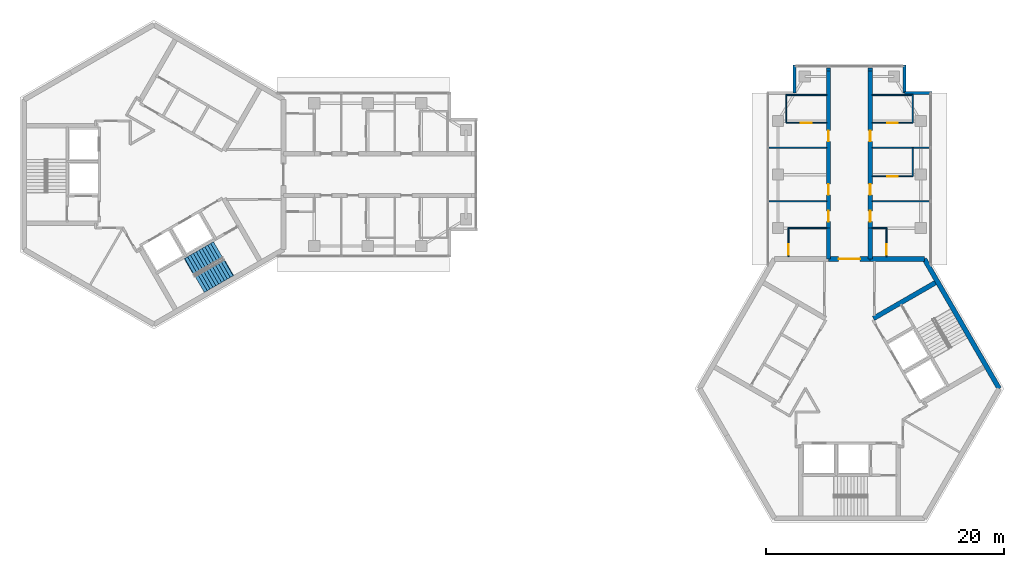
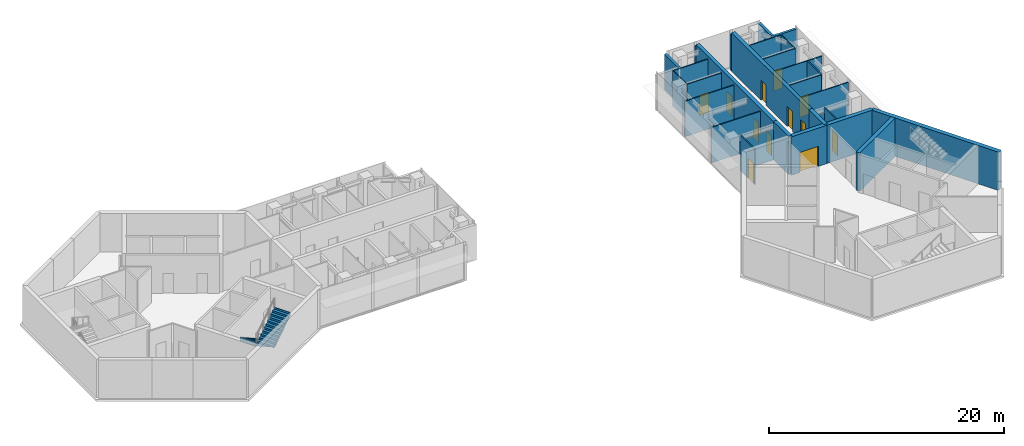
# One storey, part 9 of 11: 29 walls, 12 doors, 2 stair flights, 12 openings, 1 element without a shape of its own.
"""IFC4 building model written with IfcOpenShell, lengths in metres."""

from ifc_helpers import new_model, si_unit, direction, frame, frame_2d, origin, place, context, subcontext, project, spatial, polyline, rectangle, outline, extrude, material, layer, layer_set, type_object, element, fill, aggregate, save


model = new_model("IFC4")

# Units and contexts
model_context = context("Model", 3, precision=1e-05, world=origin(), true_north=direction((0.0, 1.0)))
body_context = subcontext(model_context, "Body", "Model", "MODEL_VIEW")
ifc_project = project(units=[si_unit("LENGTHUNIT", "METRE"), si_unit("AREAUNIT", "SQUARE_METRE"), si_unit("VOLUMEUNIT", "CUBIC_METRE"), si_unit("PLANEANGLEUNIT", "RADIAN"), si_unit("MASSUNIT", "GRAM", prefix="KILO")], contexts=[model_context])

# Site, building, storey
site_placement = place(None, origin())
site = spatial("IfcSite", under=ifc_project, at=site_placement, CompositionType="ELEMENT")
building_placement = place(site_placement, origin())
building = spatial("IfcBuilding", under=site, at=building_placement, Name="Upepo Twin Towers", CompositionType="ELEMENT")
storey_placement = place(building_placement, frame((0.0, 0.0, 287.5)))
storey = spatial("IfcBuildingStorey", under=building, at=storey_placement, Name="L70", CompositionType="ELEMENT", Elevation=287.5)

# Walls
ifc_material_1 = material(Name="Dense concrete blockwork", Category="masonry")
ifc_layer_1 = layer(ifc_material_1, 0.35009765625)
ifc_layer_set_1 = layer_set([ifc_layer_1], Name="Buttress closer 350, blockwork with fire-stopping to the curtain wall")
wall_type_1 = type_object("IfcWallType", Name="Buttress closer 350, blockwork with fire-stopping to the curtain wall", PredefinedType="PARTITIONING", material=ifc_layer_set_1)
for number, where, z_axis, x_axis, name in (
    (1, (56.75, 8.699951171875, 0.0), (0.0, 0.0, 1.0), (0.0, 1.0, 0.0), "T2 L70 wing A buttress closer L"),
    (2, (60.25, 8.699951171875, 0.0), (0.0, 0.0, 1.0), (0.0, 1.0, 0.0), "T2 L70 wing A buttress closer R"),
):
    element("IfcWall", number, at=place(storey_placement, frame(where, z_axis=z_axis, x_axis=x_axis)), inside=storey, type_object=wall_type_1, Name=name, PredefinedType="PARTITIONING", context=body_context, shape_type="SweptSolid", body=[
        extrude(rectangle(XDim=0.275146484375, YDim=0.35009765625, at=frame_2d((0.1376953125, 0.0))), origin(), (0.0, 0.0, 1.0), 3.699951171875),
    ])
ifc_material_2 = material(Name="Concrete C60/75", Category="concrete")
ifc_layer_2 = layer(ifc_material_2, 0.35009765625)
ifc_layer_set_2 = layer_set([ifc_layer_2], Name="Concrete C60/75")
wall_type_2 = type_object("IfcWallType", Name="Buttress wall 350 RC", PredefinedType="SHEAR", material=ifc_layer_set_2)
wall_1_placement = place(storey_placement, frame((56.75, -7.091552734375, 0.0), z_axis=(0.0, 0.0, 1.0), x_axis=(0.0, 1.0, 0.0)))
element("IfcWall", 3, at=wall_1_placement, inside=storey, type_object=wall_type_2, Name="T2 wing A buttress wall L", PredefinedType="SHEAR", context=body_context, shape_type="SweptSolid", body=[
    extrude(rectangle(XDim=2.591552734375, YDim=0.35009765625, at=frame_2d((1.2958984375, 0.0))), origin(), (0.0, 0.0, 1.0), 4.0),
])

# Wall, openings, doors
wall_2_placement = place(storey_placement, frame((56.75, -4.5, 0.0), z_axis=(0.0, 0.0, 1.0), x_axis=(0.0, 1.0, 0.0)))
wall_2 = element("IfcWall", 4, at=wall_2_placement, inside=storey, type_object=wall_type_2, Name="T2 wing A buttress wall L part 2", PredefinedType="SHEAR", context=body_context, shape_type="SweptSolid", body=[
    extrude(rectangle(XDim=13.199951171875, YDim=0.35009765625, at=frame_2d((6.60009765625, 0.0))), origin(), (0.0, 0.0, 1.0), 4.0),
])
opening_1_placement = place(wall_2_placement, frame((0.550048828125, 0.0, 0.0)))
opening_1 = element("IfcOpeningElement", 5, at=opening_1_placement, cuts=wall_2, Name="Opening D11", PredefinedType="OPENING", context=body_context, shape_type="SweptSolid", body=[
    extrude(rectangle(XDim=0.89990234375, YDim=2.10009765625, at=frame_2d((0.449951171875, 1.050048828125))), frame((0.0, 0.18505859375, 0.0), z_axis=(0.0, -1.0, 0.0), x_axis=(1.0, 0.0, 0.0)), (0.0, 0.0, 1.0), 0.3701171875),
])
opening_2_placement = place(wall_2_placement, frame((2.800048828125, 0.0, 0.0)))
opening_2 = element("IfcOpeningElement", 6, at=opening_2_placement, cuts=wall_2, Name="Opening D14", PredefinedType="OPENING", context=body_context, shape_type="SweptSolid", body=[
    extrude(rectangle(XDim=0.89990234375, YDim=2.10009765625, at=frame_2d((0.449951171875, 1.050048828125))), frame((0.0, 0.18505859375, 0.0), z_axis=(0.0, -1.0, 0.0), x_axis=(1.0, 0.0, 0.0)), (0.0, 0.0, 1.0), 0.3701171875),
])
opening_3_placement = place(wall_2_placement, frame((7.300048828125, 0.0, 0.0)))
opening_3 = element("IfcOpeningElement", 7, at=opening_3_placement, cuts=wall_2, Name="Opening D14", PredefinedType="OPENING", context=body_context, shape_type="SweptSolid", body=[
    extrude(rectangle(XDim=0.89990234375, YDim=2.10009765625, at=frame_2d((0.449951171875, 1.050048828125))), frame((0.0, 0.18505859375, 0.0), z_axis=(0.0, -1.0, 0.0), x_axis=(1.0, 0.0, 0.0)), (0.0, 0.0, 1.0), 0.3701171875),
])
ifc_material_3 = material(Name="Timber doorset", Category="wood")
door_type_1 = type_object("IfcDoorType", Name="Office door 900 FD30", OperationType="SINGLE_SWING_LEFT", PredefinedType="DOOR", material=ifc_material_3)
door_1_placement = place(opening_2_placement, origin())
door_1 = element("IfcDoor", 8, at=door_1_placement, inside=storey, type_object=door_type_1, Name="T2 L70 staff office door", OperationType="SINGLE_SWING_LEFT", OverallHeight=2.10009765625, OverallWidth=0.89990234375, PredefinedType="DOOR", context=body_context, shape_type="SweptSolid", body=[
    extrude(rectangle(XDim=0.89990234375, YDim=2.10009765625, at=frame_2d((0.449951171875, 1.050048828125))), frame((0.0, 0.02490234375, 0.0), z_axis=(0.0, -1.0, 0.0), x_axis=(1.0, 0.0, 0.0)), (0.0, 0.0, 1.0), 0.050048828125),
])
fill(opening_2, door_1)
door_2_placement = place(opening_3_placement, origin())
door_2 = element("IfcDoor", 9, at=door_2_placement, inside=storey, type_object=door_type_1, Name="T2 L70 meeting room door", OperationType="SINGLE_SWING_RIGHT", OverallHeight=2.10009765625, OverallWidth=0.89990234375, PredefinedType="DOOR", context=body_context, shape_type="SweptSolid", body=[
    extrude(rectangle(XDim=0.89990234375, YDim=2.10009765625, at=frame_2d((0.449951171875, 1.050048828125))), frame((0.0, 0.02490234375, 0.0), z_axis=(0.0, -1.0, 0.0), x_axis=(1.0, 0.0, 0.0)), (0.0, 0.0, 1.0), 0.050048828125),
])
fill(opening_3, door_2)
ifc_material_4 = material(Name="Timber doorset", Category="wood")
door_type_2 = type_object("IfcDoorType", Name="Toilet door 900", OperationType="SINGLE_SWING_LEFT", PredefinedType="DOOR", material=ifc_material_4)
door_3_placement = place(opening_1_placement, origin())
door_3 = element("IfcDoor", 10, at=door_3_placement, inside=storey, type_object=door_type_2, Name="T2 L70 accessible wc door", OperationType="SINGLE_SWING_LEFT", OverallHeight=2.10009765625, OverallWidth=0.89990234375, PredefinedType="DOOR", context=body_context, shape_type="SweptSolid", body=[
    extrude(rectangle(XDim=0.89990234375, YDim=2.10009765625, at=frame_2d((0.449951171875, 1.050048828125))), frame((0.0, 0.02490234375, 0.0), z_axis=(0.0, -1.0, 0.0), x_axis=(1.0, 0.0, 0.0)), (0.0, 0.0, 1.0), 0.050048828125),
])
fill(opening_1, door_3)

# Wall
wall_3_placement = place(storey_placement, frame((60.25, -7.091552734375, 0.0), z_axis=(0.0, 0.0, 1.0), x_axis=(0.0, 1.0, 0.0)))
element("IfcWall", 11, at=wall_3_placement, inside=storey, type_object=wall_type_2, Name="T2 wing A buttress wall R", PredefinedType="SHEAR", context=body_context, shape_type="SweptSolid", body=[
    extrude(rectangle(XDim=2.591552734375, YDim=0.35009765625, at=frame_2d((1.2958984375, 0.0))), origin(), (0.0, 0.0, 1.0), 4.0),
])

# Wall, openings, doors
wall_4_placement = place(storey_placement, frame((60.25, -4.5, 0.0), z_axis=(0.0, 0.0, 1.0), x_axis=(0.0, 1.0, 0.0)))
wall_4 = element("IfcWall", 12, at=wall_4_placement, inside=storey, type_object=wall_type_2, Name="T2 wing A buttress wall R part 2", PredefinedType="SHEAR", context=body_context, shape_type="SweptSolid", body=[
    extrude(rectangle(XDim=13.199951171875, YDim=0.35009765625, at=frame_2d((6.60009765625, 0.0))), origin(), (0.0, 0.0, 1.0), 4.0),
])
opening_4_placement = place(wall_4_placement, frame((0.550048828125, 0.0, 0.0)))
opening_4 = element("IfcOpeningElement", 13, at=opening_4_placement, cuts=wall_4, Name="Opening D11", PredefinedType="OPENING", context=body_context, shape_type="SweptSolid", body=[
    extrude(rectangle(XDim=0.89990234375, YDim=2.10009765625, at=frame_2d((0.449951171875, 1.050048828125))), frame((0.0, 0.18505859375, 0.0), z_axis=(0.0, -1.0, 0.0), x_axis=(1.0, 0.0, 0.0)), (0.0, 0.0, 1.0), 0.3701171875),
])
opening_5_placement = place(wall_4_placement, frame((2.800048828125, 0.0, 0.0)))
opening_5 = element("IfcOpeningElement", 14, at=opening_5_placement, cuts=wall_4, Name="Opening D14", PredefinedType="OPENING", context=body_context, shape_type="SweptSolid", body=[
    extrude(rectangle(XDim=0.89990234375, YDim=2.10009765625, at=frame_2d((0.449951171875, 1.050048828125))), frame((0.0, 0.18505859375, 0.0), z_axis=(0.0, -1.0, 0.0), x_axis=(1.0, 0.0, 0.0)), (0.0, 0.0, 1.0), 0.3701171875),
])
opening_6_placement = place(wall_4_placement, frame((7.300048828125, 0.0, 0.0)))
opening_6 = element("IfcOpeningElement", 15, at=opening_6_placement, cuts=wall_4, Name="Opening D14", PredefinedType="OPENING", context=body_context, shape_type="SweptSolid", body=[
    extrude(rectangle(XDim=0.89990234375, YDim=2.10009765625, at=frame_2d((0.449951171875, 1.050048828125))), frame((0.0, 0.18505859375, 0.0), z_axis=(0.0, -1.0, 0.0), x_axis=(1.0, 0.0, 0.0)), (0.0, 0.0, 1.0), 0.3701171875),
])
door_4_placement = place(opening_5_placement, origin())
door_4 = element("IfcDoor", 16, at=door_4_placement, inside=storey, type_object=door_type_1, Name="T2 L70 staff office door", OperationType="SINGLE_SWING_LEFT", OverallHeight=2.10009765625, OverallWidth=0.89990234375, PredefinedType="DOOR", context=body_context, shape_type="SweptSolid", body=[
    extrude(rectangle(XDim=0.89990234375, YDim=2.10009765625, at=frame_2d((0.449951171875, 1.050048828125))), frame((0.0, 0.02490234375, 0.0), z_axis=(0.0, -1.0, 0.0), x_axis=(1.0, 0.0, 0.0)), (0.0, 0.0, 1.0), 0.050048828125),
])
fill(opening_5, door_4)
door_5_placement = place(opening_6_placement, origin())
door_5 = element("IfcDoor", 17, at=door_5_placement, inside=storey, type_object=door_type_1, Name="T2 L70 postgraduate office door", OperationType="SINGLE_SWING_RIGHT", OverallHeight=2.10009765625, OverallWidth=0.89990234375, PredefinedType="DOOR", context=body_context, shape_type="SweptSolid", body=[
    extrude(rectangle(XDim=0.89990234375, YDim=2.10009765625, at=frame_2d((0.449951171875, 1.050048828125))), frame((0.0, 0.02490234375, 0.0), z_axis=(0.0, -1.0, 0.0), x_axis=(1.0, 0.0, 0.0)), (0.0, 0.0, 1.0), 0.050048828125),
])
fill(opening_6, door_5)
door_6_placement = place(opening_4_placement, origin())
door_6 = element("IfcDoor", 18, at=door_6_placement, inside=storey, type_object=door_type_2, Name="T2 L70 toilets door", OperationType="SINGLE_SWING_LEFT", OverallHeight=2.10009765625, OverallWidth=0.89990234375, PredefinedType="DOOR", context=body_context, shape_type="SweptSolid", body=[
    extrude(rectangle(XDim=0.89990234375, YDim=2.10009765625, at=frame_2d((0.449951171875, 1.050048828125))), frame((0.0, 0.02490234375, 0.0), z_axis=(0.0, -1.0, 0.0), x_axis=(1.0, 0.0, 0.0)), (0.0, 0.0, 1.0), 0.050048828125),
])
fill(opening_4, door_6)

# Wall
ifc_material_5 = material(Name="Concrete C60/75", Category="concrete")
ifc_layer_3 = layer(ifc_material_5, 0.39990234375)
ifc_layer_set_3 = layer_set([ifc_layer_3], Name="Concrete C60/75")
wall_type_3 = type_object("IfcWallType", Name="Core wall 400 RC", PredefinedType="SHEAR", material=ifc_layer_set_3)
wall_5_placement = place(storey_placement, frame((64.7978515625, -7.091552734375, 0.0), z_axis=(0.0, 0.0, 1.0), x_axis=(-1.0, 0.0, 0.0)))
element("IfcWall", 19, at=wall_5_placement, inside=storey, type_object=wall_type_3, Name="T2 core wall 000 R", PredefinedType="SHEAR", context=body_context, shape_type="SweptSolid", body=[
    extrude(rectangle(XDim=4.5478515625, YDim=0.39990234375, at=frame_2d((2.27392578125, 0.0))), origin(), (0.0, 0.0, 1.0), 4.0),
])

# Wall, opening, door
wall_6_placement = place(storey_placement, frame((60.25, -7.091552734375, 0.0), z_axis=(0.0, 0.0, 1.0), x_axis=(-1.0, 0.0, 0.0)))
wall_6 = element("IfcWall", 20, at=wall_6_placement, inside=storey, type_object=wall_type_3, Name="T2 core wall 000", PredefinedType="SHEAR", context=body_context, shape_type="SweptSolid", body=[
    extrude(rectangle(XDim=3.5, YDim=0.39990234375, at=frame_2d((1.75, 0.0))), origin(), (0.0, 0.0, 1.0), 4.0),
])
opening_7_placement = place(wall_6_placement, frame((0.85009765625, 0.0, 0.0)))
opening_7 = element("IfcOpeningElement", 21, at=opening_7_placement, cuts=wall_6, Name="Opening D2", PredefinedType="OPENING", context=body_context, shape_type="SweptSolid", body=[
    extrude(rectangle(XDim=1.800048828125, YDim=2.10009765625, at=frame_2d((0.89990234375, 1.050048828125))), frame((0.0, 0.2099609375, 0.0), z_axis=(0.0, -1.0, 0.0), x_axis=(1.0, 0.0, 0.0)), (0.0, 0.0, 1.0), 0.419921875),
])
ifc_material_6 = material(Name="Timber doorset", Category="wood")
door_type_3 = type_object("IfcDoorType", Name="Corridor double door 1800 FD60", OperationType="DOUBLE_DOOR_DOUBLE_SWING", PredefinedType="DOOR", material=ifc_material_6)
door_7_placement = place(opening_7_placement, origin())
door_7 = element("IfcDoor", 22, at=door_7_placement, inside=storey, type_object=door_type_3, Name="T2 L70 wing A corridor door", OperationType="DOUBLE_DOOR_DOUBLE_SWING", OverallHeight=2.10009765625, OverallWidth=1.800048828125, PredefinedType="DOOR", context=body_context, shape_type="SweptSolid", body=[
    extrude(rectangle(XDim=1.800048828125, YDim=2.10009765625, at=frame_2d((0.89990234375, 1.050048828125))), frame((0.0, 0.02490234375, 0.0), z_axis=(0.0, -1.0, 0.0), x_axis=(1.0, 0.0, 0.0)), (0.0, 0.0, 1.0), 0.050048828125),
])
fill(opening_7, door_7)

# Walls
wall_7_placement = place(storey_placement, frame((71.095947265625, -18.0, 0.0), z_axis=(0.0, 0.0, 1.0), x_axis=(-0.500005998175, 0.866021940709, 0.0)))
element("IfcWall", 23, at=wall_7_placement, inside=storey, type_object=wall_type_3, Name="T2 core wall 300", PredefinedType="SHEAR", context=body_context, shape_type="SweptSolid", body=[
    extrude(rectangle(XDim=12.595947265625, YDim=0.39990234375, at=frame_2d((6.2978515625, 0.0))), origin(), (0.0, 0.0, 1.0), 4.0),
])
ifc_material_7 = material(Name="Blockwork with anodised aluminium cladding", Category="masonry")
ifc_layer_4 = layer(ifc_material_7, 0.25)
ifc_layer_set_4 = layer_set([ifc_layer_4], Name="Notch cladding wall 250, pale metal")
wall_type_4 = type_object("IfcWallType", Name="Notch cladding wall 250, pale metal", PredefinedType="STANDARD", material=ifc_layer_set_4)
for number, where, z_axis, x_axis, name in (
    (24, (53.875, 6.875, 0.0), (0.0, 0.0, 1.0), (0.0, 1.0, 0.0), "T2 L70 wing A notch wall L2"),
    (25, (65.449951171875, 6.875, 0.0), (0.0, 0.0, 1.0), (-1.0, 0.0, 0.0), "T2 L70 wing A notch wall R1"),
    (26, (63.125, 6.875, 0.0), (0.0, 0.0, 1.0), (0.0, 1.0, 0.0), "T2 L70 wing A notch wall R2"),
):
    element("IfcWall", number, at=place(storey_placement, frame(where, z_axis=z_axis, x_axis=x_axis)), inside=storey, type_object=wall_type_4, Name=name, PredefinedType="STANDARD", context=body_context, shape_type="SweptSolid", body=[
        extrude(rectangle(XDim=2.324951171875, YDim=0.25, at=frame_2d((1.16259765625, 0.0))), origin(), (0.0, 0.0, 1.0), 3.699951171875),
    ])
ifc_material_8 = material(Name="Gypsum board on steel studs", Category="steel")
ifc_layer_5 = layer(ifc_material_8, 0.10009765625)
ifc_layer_set_5 = layer_set([ifc_layer_5], Name="Office partition 100 stud")
wall_type_5 = type_object("IfcWallType", Name="Office partition 100 stud", PredefinedType="PARTITIONING", material=ifc_layer_set_5)
for number, where, z_axis, x_axis, name in (
    (27, (56.574951171875, -2.25, 0.0), (0.0, 0.0, 1.0), (-1.0, 0.0, 0.0), "T2 partition AL at 15.75"),
    (28, (56.574951171875, 2.25, 0.0), (0.0, 0.0, 1.0), (-1.0, 0.0, 0.0), "T2 partition AL at 20.25"),
):
    element("IfcWall", number, at=place(storey_placement, frame(where, z_axis=z_axis, x_axis=x_axis)), inside=storey, type_object=wall_type_5, Name=name, PredefinedType="PARTITIONING", context=body_context, shape_type="SweptSolid", body=[
        extrude(rectangle(XDim=4.824951171875, YDim=0.10009765625, at=frame_2d((2.41259765625, 0.0))), origin(), (0.0, 0.0, 1.0), 3.699951171875),
    ])
wall_8_placement = place(storey_placement, frame((53.175048828125, 4.35009765625, 0.0), z_axis=(0.0, 0.0, 1.0), x_axis=(0.0, 1.0, 0.0)))
element("IfcWall", 29, at=wall_8_placement, inside=storey, type_object=wall_type_5, Name="T2 inner room partition AL at 22.35", PredefinedType="PARTITIONING", context=body_context, shape_type="SweptSolid", body=[
    extrude(rectangle(XDim=2.39990234375, YDim=0.10009765625, at=frame_2d((1.199951171875, 0.0))), origin(), (0.0, 0.0, 1.0), 3.699951171875),
])

# Wall, opening, door
wall_9_placement = place(storey_placement, frame((56.574951171875, 4.35009765625, 0.0), z_axis=(0.0, 0.0, 1.0), x_axis=(-1.0, 0.0, 0.0)))
wall_9 = element("IfcWall", 30, at=wall_9_placement, inside=storey, type_object=wall_type_5, Name="T2 inner room partition AL end at 22.35", PredefinedType="PARTITIONING", context=body_context, shape_type="SweptSolid", body=[
    extrude(rectangle(XDim=3.39990234375, YDim=0.10009765625, at=frame_2d((1.699951171875, 0.0))), origin(), (0.0, 0.0, 1.0), 3.699951171875),
])
opening_8_placement = place(wall_9_placement, frame((1.25, 0.0, 0.0)))
opening_8 = element("IfcOpeningElement", 31, at=opening_8_placement, cuts=wall_9, Name="Opening D14", PredefinedType="OPENING", context=body_context, shape_type="SweptSolid", body=[
    extrude(rectangle(XDim=0.89990234375, YDim=2.10009765625, at=frame_2d((0.449951171875, 1.050048828125))), frame((0.0, 0.06005859375, 0.0), z_axis=(0.0, -1.0, 0.0), x_axis=(1.0, 0.0, 0.0)), (0.0, 0.0, 1.0), 0.1201171875),
])
door_8_placement = place(opening_8_placement, origin())
door_8 = element("IfcDoor", 32, at=door_8_placement, inside=storey, type_object=door_type_1, Name="T2 L70 inner room door", OperationType="SINGLE_SWING_LEFT", OverallHeight=2.10009765625, OverallWidth=0.89990234375, PredefinedType="DOOR", context=body_context, shape_type="SweptSolid", body=[
    extrude(rectangle(XDim=0.89990234375, YDim=2.10009765625, at=frame_2d((0.449951171875, 1.050048828125))), frame((0.0, 0.02490234375, 0.0), z_axis=(0.0, -1.0, 0.0), x_axis=(1.0, 0.0, 0.0)), (0.0, 0.0, 1.0), 0.050048828125),
])
fill(opening_8, door_8)

# Wall
wall_10_placement = place(storey_placement, frame((56.574951171875, 6.699951171875, 0.0), z_axis=(0.0, 0.0, 1.0), x_axis=(-1.0, 0.0, 0.0)))
element("IfcWall", 33, at=wall_10_placement, inside=storey, type_object=wall_type_5, Name="T2 inner room partition AL end at 24.75", PredefinedType="PARTITIONING", context=body_context, shape_type="SweptSolid", body=[
    extrude(rectangle(XDim=3.39990234375, YDim=0.10009765625, at=frame_2d((1.699951171875, 0.0))), origin(), (0.0, 0.0, 1.0), 3.699951171875),
])

# Wall, opening, door
wall_11_placement = place(storey_placement, frame((53.375, -6.89208984375, 0.0), z_axis=(0.0, 0.0, 1.0), x_axis=(0.0, 1.0, 0.0)))
wall_11 = element("IfcWall", 34, at=wall_11_placement, inside=storey, type_object=wall_type_5, Name="T2 WC bay partition AL at 11.11", PredefinedType="PARTITIONING", context=body_context, shape_type="SweptSolid", body=[
    extrude(rectangle(XDim=2.400146484375, YDim=0.10009765625, at=frame_2d((1.2001953125, 0.0))), origin(), (0.0, 0.0, 1.0), 3.699951171875),
])
opening_9_placement = place(wall_11_placement, frame((0.14990234375, 0.0, 0.0)))
opening_9 = element("IfcOpeningElement", 35, at=opening_9_placement, cuts=wall_11, Name="Opening D14", PredefinedType="OPENING", context=body_context, shape_type="SweptSolid", body=[
    extrude(rectangle(XDim=0.89990234375, YDim=2.10009765625, at=frame_2d((0.449951171875, 1.050048828125))), frame((0.0, 0.06005859375, 0.0), z_axis=(0.0, -1.0, 0.0), x_axis=(1.0, 0.0, 0.0)), (0.0, 0.0, 1.0), 0.1201171875),
])
door_9_placement = place(opening_9_placement, origin())
door_9 = element("IfcDoor", 36, at=door_9_placement, inside=storey, type_object=door_type_1, Name="T2 L70 WC bay inner room door", OperationType="SINGLE_SWING_LEFT", OverallHeight=2.10009765625, OverallWidth=0.89990234375, PredefinedType="DOOR", context=body_context, shape_type="SweptSolid", body=[
    extrude(rectangle(XDim=0.89990234375, YDim=2.10009765625, at=frame_2d((0.449951171875, 1.050048828125))), frame((0.0, 0.02490234375, 0.0), z_axis=(0.0, -1.0, 0.0), x_axis=(1.0, 0.0, 0.0)), (0.0, 0.0, 1.0), 0.050048828125),
])
fill(opening_9, door_9)

# Walls
wall_12_placement = place(storey_placement, frame((56.574951171875, -4.491943359375, 0.0), z_axis=(0.0, 0.0, 1.0), x_axis=(-1.0, 0.0, 0.0)))
element("IfcWall", 37, at=wall_12_placement, inside=storey, type_object=wall_type_5, Name="T2 WC bay partition AL end at 13.51", PredefinedType="PARTITIONING", context=body_context, shape_type="SweptSolid", body=[
    extrude(rectangle(XDim=3.199951171875, YDim=0.10009765625, at=frame_2d((1.60009765625, 0.0))), origin(), (0.0, 0.0, 1.0), 3.1669921875),
])
for number, where, z_axis, x_axis, name in (
    (38, (60.425048828125, -2.25, 0.0), (0.0, 0.0, 1.0), (1.0, 0.0, 0.0), "T2 partition AR at 15.75"),
    (39, (60.425048828125, 2.25, 0.0), (0.0, 0.0, 1.0), (1.0, 0.0, 0.0), "T2 partition AR at 20.25"),
):
    element("IfcWall", number, at=place(storey_placement, frame(where, z_axis=z_axis, x_axis=x_axis)), inside=storey, type_object=wall_type_5, Name=name, PredefinedType="PARTITIONING", context=body_context, shape_type="SweptSolid", body=[
        extrude(rectangle(XDim=4.824951171875, YDim=0.10009765625, at=frame_2d((2.41259765625, 0.0))), origin(), (0.0, 0.0, 1.0), 3.699951171875),
    ])
wall_13_placement = place(storey_placement, frame((63.824951171875, -0.14990234375, 0.0), z_axis=(0.0, 0.0, 1.0), x_axis=(0.0, 1.0, 0.0)))
element("IfcWall", 40, at=wall_13_placement, inside=storey, type_object=wall_type_5, Name="T2 inner room partition AR at 17.85", PredefinedType="PARTITIONING", context=body_context, shape_type="SweptSolid", body=[
    extrude(rectangle(XDim=2.39990234375, YDim=0.10009765625, at=frame_2d((1.199951171875, 0.0))), origin(), (0.0, 0.0, 1.0), 3.699951171875),
])

# Wall, opening, door
wall_14_placement = place(storey_placement, frame((60.425048828125, -0.14990234375, 0.0), z_axis=(0.0, 0.0, 1.0), x_axis=(1.0, 0.0, 0.0)))
wall_14 = element("IfcWall", 41, at=wall_14_placement, inside=storey, type_object=wall_type_5, Name="T2 inner room partition AR end at 17.85", PredefinedType="PARTITIONING", context=body_context, shape_type="SweptSolid", body=[
    extrude(rectangle(XDim=3.39990234375, YDim=0.10009765625, at=frame_2d((1.699951171875, 0.0))), origin(), (0.0, 0.0, 1.0), 3.699951171875),
])
opening_10_placement = place(wall_14_placement, frame((1.25, 0.0, 0.0)))
opening_10 = element("IfcOpeningElement", 42, at=opening_10_placement, cuts=wall_14, Name="Opening D14", PredefinedType="OPENING", context=body_context, shape_type="SweptSolid", body=[
    extrude(rectangle(XDim=0.89990234375, YDim=2.10009765625, at=frame_2d((0.449951171875, 1.050048828125))), frame((0.0, 0.06005859375, 0.0), z_axis=(0.0, -1.0, 0.0), x_axis=(1.0, 0.0, 0.0)), (0.0, 0.0, 1.0), 0.1201171875),
])
door_10_placement = place(opening_10_placement, origin())
door_10 = element("IfcDoor", 43, at=door_10_placement, inside=storey, type_object=door_type_1, Name="T2 L70 inner room door", OperationType="SINGLE_SWING_LEFT", OverallHeight=2.10009765625, OverallWidth=0.89990234375, PredefinedType="DOOR", context=body_context, shape_type="SweptSolid", body=[
    extrude(rectangle(XDim=0.89990234375, YDim=2.10009765625, at=frame_2d((0.449951171875, 1.050048828125))), frame((0.0, 0.02490234375, 0.0), z_axis=(0.0, -1.0, 0.0), x_axis=(1.0, 0.0, 0.0)), (0.0, 0.0, 1.0), 0.050048828125),
])
fill(opening_10, door_10)

# Wall
wall_15_placement = place(storey_placement, frame((63.824951171875, 4.35009765625, 0.0), z_axis=(0.0, 0.0, 1.0), x_axis=(0.0, 1.0, 0.0)))
element("IfcWall", 44, at=wall_15_placement, inside=storey, type_object=wall_type_5, Name="T2 inner room partition AR at 22.35", PredefinedType="PARTITIONING", context=body_context, shape_type="SweptSolid", body=[
    extrude(rectangle(XDim=2.39990234375, YDim=0.10009765625, at=frame_2d((1.199951171875, 0.0))), origin(), (0.0, 0.0, 1.0), 3.699951171875),
])

# Wall, opening, door
wall_16_placement = place(storey_placement, frame((60.425048828125, 4.35009765625, 0.0), z_axis=(0.0, 0.0, 1.0), x_axis=(1.0, 0.0, 0.0)))
wall_16 = element("IfcWall", 45, at=wall_16_placement, inside=storey, type_object=wall_type_5, Name="T2 inner room partition AR end at 22.35", PredefinedType="PARTITIONING", context=body_context, shape_type="SweptSolid", body=[
    extrude(rectangle(XDim=3.39990234375, YDim=0.10009765625, at=frame_2d((1.699951171875, 0.0))), origin(), (0.0, 0.0, 1.0), 3.699951171875),
])
opening_11_placement = place(wall_16_placement, frame((1.25, 0.0, 0.0)))
opening_11 = element("IfcOpeningElement", 46, at=opening_11_placement, cuts=wall_16, Name="Opening D14", PredefinedType="OPENING", context=body_context, shape_type="SweptSolid", body=[
    extrude(rectangle(XDim=0.89990234375, YDim=2.10009765625, at=frame_2d((0.449951171875, 1.050048828125))), frame((0.0, 0.06005859375, 0.0), z_axis=(0.0, -1.0, 0.0), x_axis=(1.0, 0.0, 0.0)), (0.0, 0.0, 1.0), 0.1201171875),
])
door_11_placement = place(opening_11_placement, origin())
door_11 = element("IfcDoor", 47, at=door_11_placement, inside=storey, type_object=door_type_1, Name="T2 L70 inner room door", OperationType="SINGLE_SWING_LEFT", OverallHeight=2.10009765625, OverallWidth=0.89990234375, PredefinedType="DOOR", context=body_context, shape_type="SweptSolid", body=[
    extrude(rectangle(XDim=0.89990234375, YDim=2.10009765625, at=frame_2d((0.449951171875, 1.050048828125))), frame((0.0, 0.02490234375, 0.0), z_axis=(0.0, -1.0, 0.0), x_axis=(1.0, 0.0, 0.0)), (0.0, 0.0, 1.0), 0.050048828125),
])
fill(opening_11, door_11)

# Wall
wall_17_placement = place(storey_placement, frame((60.425048828125, 6.699951171875, 0.0), z_axis=(0.0, 0.0, 1.0), x_axis=(1.0, 0.0, 0.0)))
element("IfcWall", 48, at=wall_17_placement, inside=storey, type_object=wall_type_5, Name="T2 inner room partition AR end at 24.75", PredefinedType="PARTITIONING", context=body_context, shape_type="SweptSolid", body=[
    extrude(rectangle(XDim=3.39990234375, YDim=0.10009765625, at=frame_2d((1.699951171875, 0.0))), origin(), (0.0, 0.0, 1.0), 3.699951171875),
])

# Wall, opening, door
wall_18_placement = place(storey_placement, frame((61.625, -6.89208984375, 0.0), z_axis=(0.0, 0.0, 1.0), x_axis=(0.0, 1.0, 0.0)))
wall_18 = element("IfcWall", 49, at=wall_18_placement, inside=storey, type_object=wall_type_5, Name="T2 WC bay partition AR at 11.11", PredefinedType="PARTITIONING", context=body_context, shape_type="SweptSolid", body=[
    extrude(rectangle(XDim=2.400146484375, YDim=0.10009765625, at=frame_2d((1.2001953125, 0.0))), origin(), (0.0, 0.0, 1.0), 3.699951171875),
])
opening_12_placement = place(wall_18_placement, frame((0.14990234375, 0.0, 0.0)))
opening_12 = element("IfcOpeningElement", 50, at=opening_12_placement, cuts=wall_18, Name="Opening D14", PredefinedType="OPENING", context=body_context, shape_type="SweptSolid", body=[
    extrude(rectangle(XDim=0.89990234375, YDim=2.10009765625, at=frame_2d((0.449951171875, 1.050048828125))), frame((0.0, 0.06005859375, 0.0), z_axis=(0.0, -1.0, 0.0), x_axis=(1.0, 0.0, 0.0)), (0.0, 0.0, 1.0), 0.1201171875),
])
door_12_placement = place(opening_12_placement, origin())
door_12 = element("IfcDoor", 51, at=door_12_placement, inside=storey, type_object=door_type_1, Name="T2 L70 WC bay inner room door", OperationType="SINGLE_SWING_LEFT", OverallHeight=2.10009765625, OverallWidth=0.89990234375, PredefinedType="DOOR", context=body_context, shape_type="SweptSolid", body=[
    extrude(rectangle(XDim=0.89990234375, YDim=2.10009765625, at=frame_2d((0.449951171875, 1.050048828125))), frame((0.0, 0.02490234375, 0.0), z_axis=(0.0, -1.0, 0.0), x_axis=(1.0, 0.0, 0.0)), (0.0, 0.0, 1.0), 0.050048828125),
])
fill(opening_12, door_12)

# Walls
wall_19_placement = place(storey_placement, frame((60.425048828125, -4.491943359375, 0.0), z_axis=(0.0, 0.0, 1.0), x_axis=(1.0, 0.0, 0.0)))
element("IfcWall", 52, at=wall_19_placement, inside=storey, type_object=wall_type_5, Name="T2 WC bay partition AR end at 13.51", PredefinedType="PARTITIONING", context=body_context, shape_type="SweptSolid", body=[
    extrude(rectangle(XDim=1.199951171875, YDim=0.10009765625, at=frame_2d((0.60009765625, 0.0))), origin(), (0.0, 0.0, 1.0), 3.1669921875),
])
ifc_material_9 = material(Name="Concrete C40/50", Category="concrete")
ifc_layer_6 = layer(ifc_material_9, 0.39990234375)
ifc_layer_set_6 = layer_set([ifc_layer_6], Name="Concrete C40/50")
wall_type_6 = type_object("IfcWallType", Name="Shaft wall 400 RC", PredefinedType="SHEAR", material=ifc_layer_set_6)
wall_20_placement = place(storey_placement, frame((60.520263671875, -12.099365234375, 0.0), z_axis=(0.0, 0.0, 1.0), x_axis=(0.866026570101, 0.499997979876, 0.0)))
element("IfcWall", 53, at=wall_20_placement, inside=storey, type_object=wall_type_6, Name="T2 core W300 side wall N", PredefinedType="SHEAR", context=body_context, shape_type="SweptSolid", body=[
    extrude(rectangle(XDim=6.00830078125, YDim=0.39990234375, at=frame_2d((3.004150390625, 0.0))), origin(), (0.0, 0.0, 1.0), 4.0),
])

# Stair, stair flights
ifc_material_10 = material(Name="Concrete C40/50", Category="concrete")
stair_type = type_object("IfcStairType", Name="Core stair, two flights", PredefinedType="HALF_TURN_STAIR", material=ifc_material_10)
stair_placement = place(storey_placement, origin())
stair = element("IfcStair", 54, at=stair_placement, inside=storey, type_object=stair_type, Name="T1 stair S2 L70", PredefinedType="HALF_TURN_STAIR")
ifc_material_11 = material(Name="Concrete C40/50", Category="concrete")
stair_flight_type = type_object("IfcStairFlightType", Name="Stair flight 1600 RC", PredefinedType="STRAIGHT", material=ifc_material_11)
stair_flight_1_placement = place(storey_placement, frame((5.416259765625, -6.34130859375, 0.0), z_axis=(0.0, 0.0, 1.0), x_axis=(-0.866025403784, -0.5, 0.0)))
stair_flight_1 = element("IfcStairFlight", 55, at=stair_flight_1_placement, type_object=stair_flight_type, Name="Stair S2 flight 1", NumberOfRisers=11, NumberOfTreads=10, PredefinedType="STRAIGHT", RiserHeight=0.181818182, TreadLength=0.28, context=body_context, shape_type="SweptSolid", body=[
    extrude(outline(polyline([(0.0, 0.0), (0.0, 0.181884765625), (0.280029296875, 0.181884765625), (0.280029296875, 0.363525390625), (0.56005859375, 0.363525390625), (0.56005859375, 0.54541015625), (0.840087890625, 0.54541015625), (0.840087890625, 0.727294921875), (1.1201171875, 0.727294921875), (1.1201171875, 0.9091796875), (1.39990234375, 0.9091796875), (1.39990234375, 1.0908203125), (1.679931640625, 1.0908203125), (1.679931640625, 1.272705078125), (1.9599609375, 1.272705078125), (1.9599609375, 1.45458984375), (2.239990234375, 1.45458984375), (2.239990234375, 1.636474609375), (2.52001953125, 1.636474609375), (2.52001953125, 1.818115234375), (2.800048828125, 1.818115234375), (2.800048828125, 2.0), (2.85009765625, 2.0), (2.85009765625, 1.639404296875), (0.3251953125, 0.0), (0.0, 0.0)])), frame((0.0, 0.800048828125, 0.0), z_axis=(0.0, -1.0, 0.0), x_axis=(1.0, 0.0, 0.0)), (0.0, 0.0, 1.0), 1.60009765625),
])
stair_flight_2_placement = place(storey_placement, frame((3.845703125, -9.220947265625, 2.0), z_axis=(0.0, 0.0, 1.0), x_axis=(0.866025403784, 0.5, 0.0)))
stair_flight_2 = element("IfcStairFlight", 56, at=stair_flight_2_placement, type_object=stair_flight_type, Name="Stair S2 flight 2", NumberOfRisers=11, NumberOfTreads=10, PredefinedType="STRAIGHT", RiserHeight=0.181818182, TreadLength=0.28, context=body_context, shape_type="SweptSolid", body=[
    extrude(outline(polyline([(0.0, 0.0), (0.0, 0.181884765625), (0.280029296875, 0.181884765625), (0.280029296875, 0.363525390625), (0.56005859375, 0.363525390625), (0.56005859375, 0.54541015625), (0.840087890625, 0.54541015625), (0.840087890625, 0.727294921875), (1.1201171875, 0.727294921875), (1.1201171875, 0.9091796875), (1.39990234375, 0.9091796875), (1.39990234375, 1.0908203125), (1.679931640625, 1.0908203125), (1.679931640625, 1.272705078125), (1.9599609375, 1.272705078125), (1.9599609375, 1.45458984375), (2.239990234375, 1.45458984375), (2.239990234375, 1.636474609375), (2.52001953125, 1.636474609375), (2.52001953125, 1.818115234375), (2.800048828125, 1.818115234375), (2.800048828125, 2.0), (2.85009765625, 2.0), (2.85009765625, 1.639404296875), (0.3251953125, 0.0), (0.0, 0.0)])), frame((0.0, 0.800048828125, 0.0), z_axis=(0.0, -1.0, 0.0), x_axis=(1.0, 0.0, 0.0)), (0.0, 0.0, 1.0), 1.60009765625),
])
aggregate(stair, [stair_flight_1, stair_flight_2])

save(model, "model.ifc")
